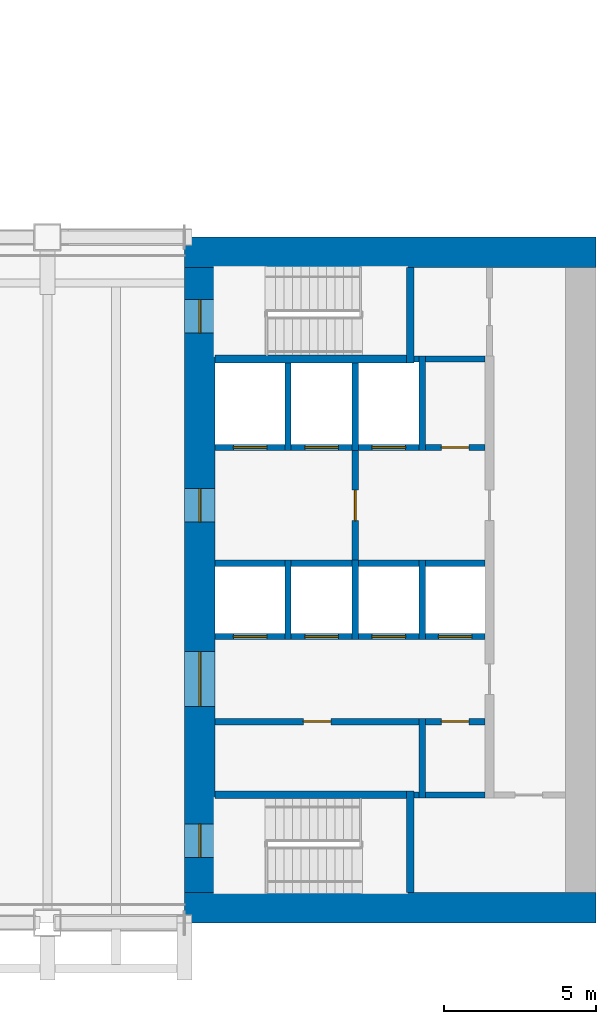
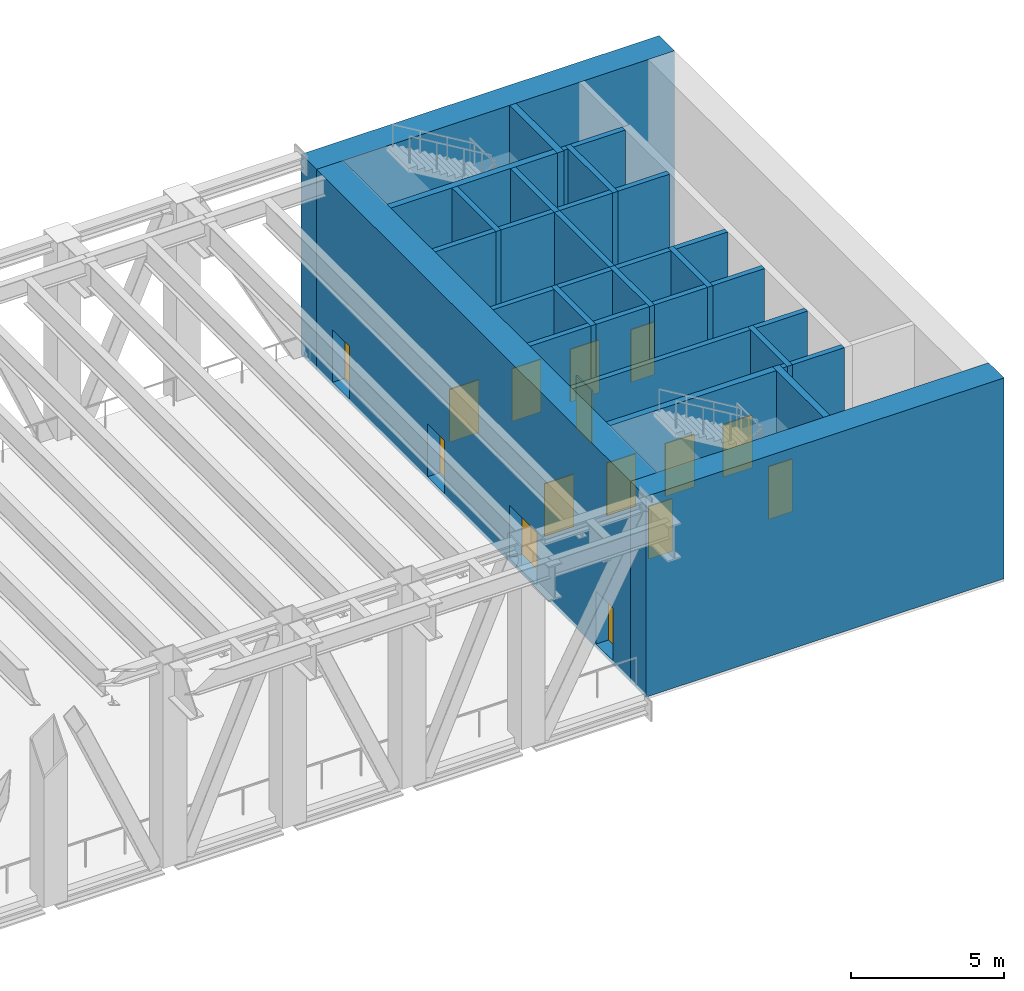
# One storey, part 8 of 16: 33 walls, 15 doors, 15 openings.
"""IFC4 building model written with IfcOpenShell, lengths in metres."""

from ifc_helpers import new_model, si_unit, direction, frame, frame_2d, origin, place, context, subcontext, project, spatial, rectangle, extrude, material, layer, layer_set, type_object, element, fill, save


model = new_model("IFC4")

# Units and contexts
model_context = context("Model", 3, precision=1e-05, world=origin(), true_north=direction((0.0, 1.0)))
body_context = subcontext(model_context, "Body", "Model", "MODEL_VIEW")
ifc_project = project(units=[si_unit("LENGTHUNIT", "METRE"), si_unit("AREAUNIT", "SQUARE_METRE"), si_unit("VOLUMEUNIT", "CUBIC_METRE"), si_unit("PLANEANGLEUNIT", "RADIAN"), si_unit("MASSUNIT", "GRAM", prefix="KILO")], contexts=[model_context])

# Site, building, storey
site_placement = place(None, origin())
site = spatial("IfcSite", under=ifc_project, at=site_placement, CompositionType="ELEMENT")
building_placement = place(site_placement, origin())
building = spatial("IfcBuilding", under=site, at=building_placement, Name="Sennacour Bend Tower", CompositionType="ELEMENT")
storey_placement = place(building_placement, frame((0.0, 0.0, 187.0)))
storey = spatial("IfcBuildingStorey", under=building, at=storey_placement, Name="L43", CompositionType="ELEMENT", Elevation=187.0)

# Walls
ifc_material_1 = material(Name="Concrete C60/75", Category="concrete")
ifc_layer_1 = layer(ifc_material_1, 1.0, Name="Concrete C60/75", Category="concrete")
ifc_layer_set_1 = layer_set([ifc_layer_1], Name="Concrete C60/75")
wall_type_1 = type_object("IfcWallType", Name="Core wall 1000 C60/75", PredefinedType="SHEAR", material=ifc_layer_set_1)
for number, where, z_axis, x_axis, name in (
    (1, (67.5, 0.5, -0.14990234375), (0.0, 0.0, 1.0), (-1.0, 0.0, 0.0), "Core A wall L43 S"),
    (2, (54.0, 22.0, -0.14990234375), (0.0, 0.0, 1.0), (1.0, 0.0, 0.0), "Core A wall L43 N"),
):
    element("IfcWall", number, at=place(storey_placement, frame(where, z_axis=z_axis, x_axis=x_axis)), inside=storey, type_object=wall_type_1, Name=name, PredefinedType="SHEAR", context=body_context, shape_type="SweptSolid", body=[
        extrude(rectangle(XDim=13.5, YDim=1.0, at=frame_2d((6.75, 0.0))), origin(), (0.0, 0.0, 1.0), 8.0),
    ])

# Wall, openings, doors
wall_1_placement = place(storey_placement, frame((54.5, 1.0, -0.14990234375), z_axis=(0.0, 0.0, 1.0), x_axis=(0.0, 1.0, 0.0)))
wall_1 = element("IfcWall", 3, at=wall_1_placement, inside=storey, type_object=wall_type_1, Name="Core A wall L43 W", PredefinedType="SHEAR", context=body_context, shape_type="SweptSolid", body=[
    extrude(rectangle(XDim=20.5, YDim=1.0, at=frame_2d((10.25, 0.0))), origin(), (0.0, 0.0, 1.0), 8.0),
])
opening_1_placement = place(wall_1_placement, frame((6.10009765625, 0.0, 0.14990234375)))
opening_1 = element("IfcOpeningElement", 4, at=opening_1_placement, cuts=wall_1, Name="Opening CD", PredefinedType="OPENING", context=body_context, shape_type="SweptSolid", body=[
    extrude(rectangle(XDim=1.800048828125, YDim=2.10009765625, at=frame_2d((0.89990234375, 1.050048828125))), frame((0.0, 0.510009765625, 0.0), z_axis=(0.0, -1.0, 0.0), x_axis=(1.0, 0.0, 0.0)), (0.0, 0.0, 1.0), 1.02001953125),
])
opening_2_placement = place(wall_1_placement, frame((12.14990234375, 0.0, 0.14990234375)))
opening_2 = element("IfcOpeningElement", 5, at=opening_2_placement, cuts=wall_1, Name="Opening FD", PredefinedType="OPENING", context=body_context, shape_type="SweptSolid", body=[
    extrude(rectangle(XDim=1.10009765625, YDim=2.10009765625, at=frame_2d((0.550048828125, 1.050048828125))), frame((0.0, 0.510009765625, 0.0), z_axis=(0.0, -1.0, 0.0), x_axis=(1.0, 0.0, 0.0)), (0.0, 0.0, 1.0), 1.02001953125),
])
opening_3_placement = place(wall_1_placement, frame((1.14990234375, 0.0, 0.14990234375)))
opening_3 = element("IfcOpeningElement", 6, at=opening_3_placement, cuts=wall_1, Name="Opening SD", PredefinedType="OPENING", context=body_context, shape_type="SweptSolid", body=[
    extrude(rectangle(XDim=1.10009765625, YDim=2.10009765625, at=frame_2d((0.550048828125, 1.050048828125))), frame((0.0, 0.510009765625, 0.0), z_axis=(0.0, -1.0, 0.0), x_axis=(1.0, 0.0, 0.0)), (0.0, 0.0, 1.0), 1.02001953125),
])
opening_4_placement = place(wall_1_placement, frame((18.35009765625, 0.0, 0.14990234375)))
opening_4 = element("IfcOpeningElement", 7, at=opening_4_placement, cuts=wall_1, Name="Opening SD", PredefinedType="OPENING", context=body_context, shape_type="SweptSolid", body=[
    extrude(rectangle(XDim=1.10009765625, YDim=2.10009765625, at=frame_2d((0.550048828125, 1.050048828125))), frame((0.0, 0.510009765625, 0.0), z_axis=(0.0, -1.0, 0.0), x_axis=(1.0, 0.0, 0.0)), (0.0, 0.0, 1.0), 1.02001953125),
])
ifc_material_2 = material(Name="Painted steel", Category="steel")
door_type_1 = type_object("IfcDoorType", Name="DR-FFL-1100", OperationType="NOTDEFINED", PredefinedType="DOOR", material=ifc_material_2)
door_1_placement = place(opening_2_placement, origin())
door_1 = element("IfcDoor", 8, at=door_1_placement, inside=storey, type_object=door_type_1, Name="Door", OperationType="SINGLE_SWING_RIGHT", OverallHeight=2.10009765625, OverallWidth=1.10009765625, PredefinedType="DOOR", context=body_context, shape_type="SweptSolid", body=[
    extrude(rectangle(XDim=1.10009765625, YDim=2.10009765625, at=frame_2d((0.550048828125, 1.050048828125))), frame((0.0, 0.02490234375, 0.0), z_axis=(0.0, -1.0, 0.0), x_axis=(1.0, 0.0, 0.0)), (0.0, 0.0, 1.0), 0.050048828125),
])
fill(opening_2, door_1)
door_type_2 = type_object("IfcDoorType", Name="DR-LOBBY-1800", OperationType="NOTDEFINED", PredefinedType="DOOR", material=ifc_material_2)
door_2_placement = place(opening_1_placement, origin())
door_2 = element("IfcDoor", 9, at=door_2_placement, inside=storey, type_object=door_type_2, Name="Door", OperationType="DOUBLE_DOOR_SINGLE_SWING", OverallHeight=2.10009765625, OverallWidth=1.800048828125, PredefinedType="DOOR", context=body_context, shape_type="SweptSolid", body=[
    extrude(rectangle(XDim=1.800048828125, YDim=2.10009765625, at=frame_2d((0.89990234375, 1.050048828125))), frame((0.0, 0.02490234375, 0.0), z_axis=(0.0, -1.0, 0.0), x_axis=(1.0, 0.0, 0.0)), (0.0, 0.0, 1.0), 0.050048828125),
])
fill(opening_1, door_2)
door_type_3 = type_object("IfcDoorType", Name="DR-STAIR-1100", OperationType="NOTDEFINED", PredefinedType="DOOR", material=ifc_material_2)
door_3_placement = place(opening_3_placement, origin())
door_3 = element("IfcDoor", 10, at=door_3_placement, inside=storey, type_object=door_type_3, Name="Door", OperationType="SINGLE_SWING_LEFT", OverallHeight=2.10009765625, OverallWidth=1.10009765625, PredefinedType="DOOR", context=body_context, shape_type="SweptSolid", body=[
    extrude(rectangle(XDim=1.10009765625, YDim=2.10009765625, at=frame_2d((0.550048828125, 1.050048828125))), frame((0.0, 0.02490234375, 0.0), z_axis=(0.0, -1.0, 0.0), x_axis=(1.0, 0.0, 0.0)), (0.0, 0.0, 1.0), 0.050048828125),
])
fill(opening_3, door_3)
door_4_placement = place(opening_4_placement, origin())
door_4 = element("IfcDoor", 11, at=door_4_placement, inside=storey, type_object=door_type_3, Name="Door", OperationType="SINGLE_SWING_RIGHT", OverallHeight=2.10009765625, OverallWidth=1.10009765625, PredefinedType="DOOR", context=body_context, shape_type="SweptSolid", body=[
    extrude(rectangle(XDim=1.10009765625, YDim=2.10009765625, at=frame_2d((0.550048828125, 1.050048828125))), frame((0.0, 0.02490234375, 0.0), z_axis=(0.0, -1.0, 0.0), x_axis=(1.0, 0.0, 0.0)), (0.0, 0.0, 1.0), 0.050048828125),
])
fill(opening_4, door_4)

# Walls
ifc_material_3 = material(Name="Fire-rated plasterboard partition on steel studs", Category="steel")
ifc_layer_2 = layer(ifc_material_3, 0.199951171875, Name="Fire-rated plasterboard partition on steel studs", Category="steel")
ifc_layer_set_2 = layer_set([ifc_layer_2], Name="Fire-rated plasterboard partition on steel studs")
wall_type_2 = type_object("IfcWallType", Name="Rated partition 200", PredefinedType="PARTITIONING", material=ifc_layer_set_2)
wall_2_placement = place(storey_placement, frame((61.800048828125, 4.10009765625, 0.0), z_axis=(0.0, 0.0, 1.0), x_axis=(0.0, 1.0, 0.0)))
element("IfcWall", 12, at=wall_2_placement, inside=storey, type_object=wall_type_2, Name="P-L43-W027", PredefinedType="PARTITIONING", context=body_context, shape_type="SweptSolid", body=[
    extrude(rectangle(XDim=2.599853515625, YDim=0.199951171875, at=frame_2d((1.2998046875, 0.0))), origin(), (0.0, 0.0, 1.0), 7.85009765625),
])
wall_3_placement = place(storey_placement, frame((61.52490234375, 4.199951171875, 0.0), z_axis=(0.0, 0.0, 1.0), x_axis=(1.0, 0.0, 0.0)))
element("IfcWall", 13, at=wall_3_placement, inside=storey, type_object=wall_type_2, Name="P-L43-W037a", PredefinedType="PARTITIONING", context=body_context, shape_type="SweptSolid", body=[
    extrude(rectangle(XDim=0.175048828125, YDim=0.199951171875, at=frame_2d((0.08740234375, 0.0))), origin(), (0.0, 0.0, 1.0), 7.85009765625),
])
wall_4_placement = place(storey_placement, frame((61.89990234375, 4.199951171875, 0.0), z_axis=(0.0, 0.0, 1.0), x_axis=(1.0, 0.0, 0.0)))
element("IfcWall", 14, at=wall_4_placement, inside=storey, type_object=wall_type_2, Name="P-L43-W037b", PredefinedType="PARTITIONING", context=body_context, shape_type="SweptSolid", body=[
    extrude(rectangle(XDim=1.9501953125, YDim=0.199951171875, at=frame_2d((0.97509765625, 0.0))), origin(), (0.0, 0.0, 1.0), 7.85009765625),
])

# Wall, opening, door
wall_5_placement = place(storey_placement, frame((55.0, 6.60009765625, 0.0), z_axis=(0.0, 0.0, 1.0), x_axis=(1.0, 0.0, 0.0)))
wall_5 = element("IfcWall", 15, at=wall_5_placement, inside=storey, type_object=wall_type_2, Name="P-L43-W038a", PredefinedType="PARTITIONING", context=body_context, shape_type="SweptSolid", body=[
    extrude(rectangle(XDim=6.699951171875, YDim=0.199951171875, at=frame_2d((3.35009765625, 0.0))), origin(), (0.0, 0.0, 1.0), 7.85009765625),
])
opening_5_placement = place(wall_5_placement, frame((2.89990234375, 0.0, 0.0)))
opening_5 = element("IfcOpeningElement", 16, at=opening_5_placement, cuts=wall_5, Name="Opening SV", PredefinedType="OPENING", context=body_context, shape_type="SweptSolid", body=[
    extrude(rectangle(XDim=0.89990234375, YDim=2.10009765625, at=frame_2d((0.449951171875, 1.050048828125))), frame((0.0, 0.10986328125, 0.0), z_axis=(0.0, -1.0, 0.0), x_axis=(1.0, 0.0, 0.0)), (0.0, 0.0, 1.0), 0.219970703125),
])
door_type_4 = type_object("IfcDoorType", Name="DR-SERVICE-900", OperationType="NOTDEFINED", PredefinedType="DOOR", material=ifc_material_2)
door_5_placement = place(opening_5_placement, origin())
door_5 = element("IfcDoor", 17, at=door_5_placement, inside=storey, type_object=door_type_4, Name="Door", OperationType="SINGLE_SWING_LEFT", OverallHeight=2.10009765625, OverallWidth=0.89990234375, PredefinedType="DOOR", context=body_context, shape_type="SweptSolid", body=[
    extrude(rectangle(XDim=0.89990234375, YDim=2.10009765625, at=frame_2d((0.449951171875, 1.050048828125))), frame((0.0, 0.02490234375, 0.0), z_axis=(0.0, -1.0, 0.0), x_axis=(1.0, 0.0, 0.0)), (0.0, 0.0, 1.0), 0.050048828125),
])
fill(opening_5, door_5)

wall_6_placement = place(storey_placement, frame((61.89990234375, 6.60009765625, 0.0), z_axis=(0.0, 0.0, 1.0), x_axis=(1.0, 0.0, 0.0)))
wall_6 = element("IfcWall", 18, at=wall_6_placement, inside=storey, type_object=wall_type_2, Name="P-L43-W038b", PredefinedType="PARTITIONING", context=body_context, shape_type="SweptSolid", body=[
    extrude(rectangle(XDim=1.9501953125, YDim=0.199951171875, at=frame_2d((0.97509765625, 0.0))), origin(), (0.0, 0.0, 1.0), 7.85009765625),
])
opening_6_placement = place(wall_6_placement, frame((0.525146484375, 0.0, 0.0)))
opening_6 = element("IfcOpeningElement", 19, at=opening_6_placement, cuts=wall_6, Name="Opening SV", PredefinedType="OPENING", context=body_context, shape_type="SweptSolid", body=[
    extrude(rectangle(XDim=0.89990234375, YDim=2.10009765625, at=frame_2d((0.449951171875, 1.050048828125))), frame((0.0, 0.10986328125, 0.0), z_axis=(0.0, -1.0, 0.0), x_axis=(1.0, 0.0, 0.0)), (0.0, 0.0, 1.0), 0.219970703125),
])
door_6_placement = place(opening_6_placement, origin())
door_6 = element("IfcDoor", 20, at=door_6_placement, inside=storey, type_object=door_type_4, Name="Door", OperationType="SINGLE_SWING_RIGHT", OverallHeight=2.10009765625, OverallWidth=0.89990234375, PredefinedType="DOOR", context=body_context, shape_type="SweptSolid", body=[
    extrude(rectangle(XDim=0.89990234375, YDim=2.10009765625, at=frame_2d((0.449951171875, 1.050048828125))), frame((0.0, 0.02490234375, 0.0), z_axis=(0.0, -1.0, 0.0), x_axis=(1.0, 0.0, 0.0)), (0.0, 0.0, 1.0), 0.050048828125),
])
fill(opening_6, door_6)

wall_7_placement = place(storey_placement, frame((61.89990234375, 15.60009765625, 0.0), z_axis=(0.0, 0.0, 1.0), x_axis=(1.0, 0.0, 0.0)))
wall_7 = element("IfcWall", 21, at=wall_7_placement, inside=storey, type_object=wall_type_2, Name="P-L43-W044", PredefinedType="PARTITIONING", context=body_context, shape_type="SweptSolid", body=[
    extrude(rectangle(XDim=1.9501953125, YDim=0.199951171875, at=frame_2d((0.97509765625, 0.0))), origin(), (0.0, 0.0, 1.0), 7.85009765625),
])
opening_7_placement = place(wall_7_placement, frame((0.525146484375, 0.0, 0.0)))
opening_7 = element("IfcOpeningElement", 22, at=opening_7_placement, cuts=wall_7, Name="Opening SV", PredefinedType="OPENING", context=body_context, shape_type="SweptSolid", body=[
    extrude(rectangle(XDim=0.89990234375, YDim=2.10009765625, at=frame_2d((0.449951171875, 1.050048828125))), frame((0.0, 0.10986328125, 0.0), z_axis=(0.0, -1.0, 0.0), x_axis=(1.0, 0.0, 0.0)), (0.0, 0.0, 1.0), 0.219970703125),
])
door_7_placement = place(opening_7_placement, origin())
door_7 = element("IfcDoor", 23, at=door_7_placement, inside=storey, type_object=door_type_4, Name="Door", OperationType="SINGLE_SWING_LEFT", OverallHeight=2.10009765625, OverallWidth=0.89990234375, PredefinedType="DOOR", context=body_context, shape_type="SweptSolid", body=[
    extrude(rectangle(XDim=0.89990234375, YDim=2.10009765625, at=frame_2d((0.449951171875, 1.050048828125))), frame((0.0, 0.02490234375, 0.0), z_axis=(0.0, -1.0, 0.0), x_axis=(1.0, 0.0, 0.0)), (0.0, 0.0, 1.0), 0.050048828125),
])
fill(opening_7, door_7)

# Wall
wall_8_placement = place(storey_placement, frame((61.89990234375, 18.5, 0.0), z_axis=(0.0, 0.0, 1.0), x_axis=(1.0, 0.0, 0.0)))
element("IfcWall", 24, at=wall_8_placement, inside=storey, type_object=wall_type_2, Name="P-L43-W047", PredefinedType="PARTITIONING", context=body_context, shape_type="SweptSolid", body=[
    extrude(rectangle(XDim=1.9501953125, YDim=0.199951171875, at=frame_2d((0.97509765625, 0.0))), origin(), (0.0, 0.0, 1.0), 7.85009765625),
])

# Wall, opening, door
ifc_layer_3 = layer(ifc_material_3, 0.199951171875, Name="Fire-rated plasterboard partition on steel studs", Category="steel")
ifc_layer_set_3 = layer_set([ifc_layer_3], Name="Fire-rated plasterboard partition on steel studs")
wall_type_3 = type_object("IfcWallType", Name="Rated partition 200 EI 90", PredefinedType="PARTITIONING", material=ifc_layer_set_3)
wall_9_placement = place(storey_placement, frame((59.60009765625, 11.89990234375, 0.0), z_axis=(0.0, 0.0, 1.0), x_axis=(0.0, 1.0, 0.0)))
wall_9 = element("IfcWall", 25, at=wall_9_placement, inside=storey, type_object=wall_type_3, Name="P-L43-W023", PredefinedType="PARTITIONING", context=body_context, shape_type="SweptSolid", body=[
    extrude(rectangle(XDim=3.60009765625, YDim=0.199951171875, at=frame_2d((1.800048828125, 0.0))), origin(), (0.0, 0.0, 1.0), 7.85009765625),
])
opening_8_placement = place(wall_9_placement, frame((1.300048828125, 0.0, 0.0)))
opening_8 = element("IfcOpeningElement", 26, at=opening_8_placement, cuts=wall_9, Name="Opening FD2", PredefinedType="OPENING", context=body_context, shape_type="SweptSolid", body=[
    extrude(rectangle(XDim=1.0, YDim=2.10009765625, at=frame_2d((0.5, 1.050048828125))), frame((0.0, 0.10986328125, 0.0), z_axis=(0.0, -1.0, 0.0), x_axis=(1.0, 0.0, 0.0)), (0.0, 0.0, 1.0), 0.219970703125),
])
door_type_5 = type_object("IfcDoorType", Name="DR-FFL-1000", OperationType="NOTDEFINED", PredefinedType="DOOR", material=ifc_material_2)
door_8_placement = place(opening_8_placement, origin())
door_8 = element("IfcDoor", 27, at=door_8_placement, inside=storey, type_object=door_type_5, Name="Door", OperationType="SINGLE_SWING_LEFT", OverallHeight=2.10009765625, OverallWidth=1.0, PredefinedType="DOOR", context=body_context, shape_type="SweptSolid", body=[
    extrude(rectangle(XDim=1.0, YDim=2.10009765625, at=frame_2d((0.5, 1.050048828125))), frame((0.0, 0.02490234375, 0.0), z_axis=(0.0, -1.0, 0.0), x_axis=(1.0, 0.0, 0.0)), (0.0, 0.0, 1.0), 0.050048828125),
])
fill(opening_8, door_8)

# Walls
ifc_material_4 = material(Name="Concrete C50/60", Category="concrete")
ifc_layer_4 = layer(ifc_material_4, 0.199951171875, Name="Concrete C50/60", Category="concrete")
ifc_layer_set_4 = layer_set([ifc_layer_4], Name="Concrete C50/60")
wall_type_4 = type_object("IfcWallType", Name="Shaft wall 200", PredefinedType="SOLIDWALL", material=ifc_layer_set_4)
wall_10_placement = place(storey_placement, frame((57.39990234375, 9.300048828125, 0.0), z_axis=(0.0, 0.0, 1.0), x_axis=(0.0, 1.0, 0.0)))
element("IfcWall", 28, at=wall_10_placement, inside=storey, type_object=wall_type_4, Name="P-L43-W020", PredefinedType="SOLIDWALL", context=body_context, shape_type="SweptSolid", body=[
    extrude(rectangle(XDim=2.599853515625, YDim=0.199951171875, at=frame_2d((1.2998046875, 0.0))), origin(), (0.0, 0.0, 1.0), 7.85009765625),
])
wall_11_placement = place(storey_placement, frame((57.39990234375, 15.5, 0.0), z_axis=(0.0, 0.0, 1.0), x_axis=(0.0, 1.0, 0.0)))
element("IfcWall", 29, at=wall_11_placement, inside=storey, type_object=wall_type_4, Name="P-L43-W021", PredefinedType="SOLIDWALL", context=body_context, shape_type="SweptSolid", body=[
    extrude(rectangle(XDim=2.875, YDim=0.199951171875, at=frame_2d((1.4375, 0.0))), origin(), (0.0, 0.0, 1.0), 7.85009765625),
])
wall_12_placement = place(storey_placement, frame((59.60009765625, 9.300048828125, 0.0), z_axis=(0.0, 0.0, 1.0), x_axis=(0.0, 1.0, 0.0)))
element("IfcWall", 30, at=wall_12_placement, inside=storey, type_object=wall_type_4, Name="P-L43-W022", PredefinedType="SOLIDWALL", context=body_context, shape_type="SweptSolid", body=[
    extrude(rectangle(XDim=2.599853515625, YDim=0.199951171875, at=frame_2d((1.2998046875, 0.0))), origin(), (0.0, 0.0, 1.0), 7.85009765625),
])
wall_13_placement = place(storey_placement, frame((59.60009765625, 15.5, 0.0), z_axis=(0.0, 0.0, 1.0), x_axis=(0.0, 1.0, 0.0)))
element("IfcWall", 31, at=wall_13_placement, inside=storey, type_object=wall_type_4, Name="P-L43-W024", PredefinedType="SOLIDWALL", context=body_context, shape_type="SweptSolid", body=[
    extrude(rectangle(XDim=2.875, YDim=0.199951171875, at=frame_2d((1.4375, 0.0))), origin(), (0.0, 0.0, 1.0), 7.85009765625),
])
wall_14_placement = place(storey_placement, frame((61.800048828125, 9.300048828125, 0.0), z_axis=(0.0, 0.0, 1.0), x_axis=(0.0, 1.0, 0.0)))
element("IfcWall", 32, at=wall_14_placement, inside=storey, type_object=wall_type_4, Name="P-L43-W028", PredefinedType="SOLIDWALL", context=body_context, shape_type="SweptSolid", body=[
    extrude(rectangle(XDim=2.599853515625, YDim=0.199951171875, at=frame_2d((1.2998046875, 0.0))), origin(), (0.0, 0.0, 1.0), 7.85009765625),
])
wall_15_placement = place(storey_placement, frame((61.800048828125, 15.5, 0.0), z_axis=(0.0, 0.0, 1.0), x_axis=(0.0, 1.0, 0.0)))
element("IfcWall", 33, at=wall_15_placement, inside=storey, type_object=wall_type_4, Name="P-L43-W029", PredefinedType="SOLIDWALL", context=body_context, shape_type="SweptSolid", body=[
    extrude(rectangle(XDim=3.10009765625, YDim=0.199951171875, at=frame_2d((1.550048828125, 0.0))), origin(), (0.0, 0.0, 1.0), 7.85009765625),
])

# Wall, opening, door
wall_16_placement = place(storey_placement, frame((55.0, 9.39990234375, 0.0), z_axis=(0.0, 0.0, 1.0), x_axis=(1.0, 0.0, 0.0)))
wall_16 = element("IfcWall", 34, at=wall_16_placement, inside=storey, type_object=wall_type_4, Name="P-L43-W040a", PredefinedType="SOLIDWALL", context=body_context, shape_type="SweptSolid", body=[
    extrude(rectangle(XDim=2.300048828125, YDim=0.199951171875, at=frame_2d((1.14990234375, 0.0))), origin(), (0.0, 0.0, 1.0), 7.85009765625),
])
opening_9_placement = place(wall_16_placement, frame((0.60009765625, 0.0, 0.011962890625)))
opening_9 = element("IfcOpeningElement", 35, at=opening_9_placement, cuts=wall_16, Name="Opening LD", PredefinedType="OPENING", context=body_context, shape_type="SweptSolid", body=[
    extrude(rectangle(XDim=1.10009765625, YDim=2.10009765625, at=frame_2d((0.550048828125, 1.050048828125))), frame((0.0, 0.10986328125, 0.0), z_axis=(0.0, -1.0, 0.0), x_axis=(1.0, 0.0, 0.0)), (0.0, 0.0, 1.0), 0.219970703125),
])
ifc_material_5 = material(Name="Stainless steel", Category="steel")
door_type_6 = type_object("IfcDoorType", Name="DR-LANDING-1100", OperationType="NOTDEFINED", PredefinedType="DOOR", material=ifc_material_5)
door_9_placement = place(opening_9_placement, origin())
door_9 = element("IfcDoor", 36, at=door_9_placement, inside=storey, type_object=door_type_6, Name="Lift landing door HA1", OperationType="SLIDING_TO_LEFT", OverallHeight=2.10009765625, OverallWidth=1.10009765625, PredefinedType="DOOR", context=body_context, shape_type="SweptSolid", body=[
    extrude(rectangle(XDim=1.10009765625, YDim=2.10009765625, at=frame_2d((0.550048828125, 1.050048828125))), frame((0.0, 0.02490234375, 0.0), z_axis=(0.0, -1.0, 0.0), x_axis=(1.0, 0.0, 0.0)), (0.0, 0.0, 1.0), 0.050048828125),
])
fill(opening_9, door_9)

wall_17_placement = place(storey_placement, frame((57.5, 9.39990234375, 0.0), z_axis=(0.0, 0.0, 1.0), x_axis=(1.0, 0.0, 0.0)))
wall_17 = element("IfcWall", 37, at=wall_17_placement, inside=storey, type_object=wall_type_4, Name="P-L43-W040b", PredefinedType="SOLIDWALL", context=body_context, shape_type="SweptSolid", body=[
    extrude(rectangle(XDim=2.0, YDim=0.199951171875, at=frame_2d((1.0, 0.0))), origin(), (0.0, 0.0, 1.0), 7.85009765625),
])
opening_10_placement = place(wall_17_placement, frame((0.449951171875, 0.0, 0.011962890625)))
opening_10 = element("IfcOpeningElement", 38, at=opening_10_placement, cuts=wall_17, Name="Opening LD", PredefinedType="OPENING", context=body_context, shape_type="SweptSolid", body=[
    extrude(rectangle(XDim=1.10009765625, YDim=2.10009765625, at=frame_2d((0.550048828125, 1.050048828125))), frame((0.0, 0.10986328125, 0.0), z_axis=(0.0, -1.0, 0.0), x_axis=(1.0, 0.0, 0.0)), (0.0, 0.0, 1.0), 0.219970703125),
])
door_10_placement = place(opening_10_placement, origin())
door_10 = element("IfcDoor", 39, at=door_10_placement, inside=storey, type_object=door_type_6, Name="Lift landing door HA2", OperationType="SLIDING_TO_RIGHT", OverallHeight=2.10009765625, OverallWidth=1.10009765625, PredefinedType="DOOR", context=body_context, shape_type="SweptSolid", body=[
    extrude(rectangle(XDim=1.10009765625, YDim=2.10009765625, at=frame_2d((0.550048828125, 1.050048828125))), frame((0.0, 0.02490234375, 0.0), z_axis=(0.0, -1.0, 0.0), x_axis=(1.0, 0.0, 0.0)), (0.0, 0.0, 1.0), 0.050048828125),
])
fill(opening_10, door_10)

wall_18_placement = place(storey_placement, frame((59.699951171875, 9.39990234375, 0.0), z_axis=(0.0, 0.0, 1.0), x_axis=(1.0, 0.0, 0.0)))
wall_18 = element("IfcWall", 40, at=wall_18_placement, inside=storey, type_object=wall_type_4, Name="P-L43-W040c", PredefinedType="SOLIDWALL", context=body_context, shape_type="SweptSolid", body=[
    extrude(rectangle(XDim=2.0, YDim=0.199951171875, at=frame_2d((1.0, 0.0))), origin(), (0.0, 0.0, 1.0), 7.85009765625),
])
opening_11_placement = place(wall_18_placement, frame((0.449951171875, 0.0, 0.011962890625)))
opening_11 = element("IfcOpeningElement", 41, at=opening_11_placement, cuts=wall_18, Name="Opening LD", PredefinedType="OPENING", context=body_context, shape_type="SweptSolid", body=[
    extrude(rectangle(XDim=1.10009765625, YDim=2.10009765625, at=frame_2d((0.550048828125, 1.050048828125))), frame((0.0, 0.10986328125, 0.0), z_axis=(0.0, -1.0, 0.0), x_axis=(1.0, 0.0, 0.0)), (0.0, 0.0, 1.0), 0.219970703125),
])
door_11_placement = place(opening_11_placement, origin())
door_11 = element("IfcDoor", 42, at=door_11_placement, inside=storey, type_object=door_type_6, Name="Lift landing door HA3", OperationType="SLIDING_TO_LEFT", OverallHeight=2.10009765625, OverallWidth=1.10009765625, PredefinedType="DOOR", context=body_context, shape_type="SweptSolid", body=[
    extrude(rectangle(XDim=1.10009765625, YDim=2.10009765625, at=frame_2d((0.550048828125, 1.050048828125))), frame((0.0, 0.02490234375, 0.0), z_axis=(0.0, -1.0, 0.0), x_axis=(1.0, 0.0, 0.0)), (0.0, 0.0, 1.0), 0.050048828125),
])
fill(opening_11, door_11)

wall_19_placement = place(storey_placement, frame((61.89990234375, 9.39990234375, 0.0), z_axis=(0.0, 0.0, 1.0), x_axis=(1.0, 0.0, 0.0)))
wall_19 = element("IfcWall", 43, at=wall_19_placement, inside=storey, type_object=wall_type_4, Name="P-L43-W040d", PredefinedType="SOLIDWALL", context=body_context, shape_type="SweptSolid", body=[
    extrude(rectangle(XDim=1.9501953125, YDim=0.199951171875, at=frame_2d((0.97509765625, 0.0))), origin(), (0.0, 0.0, 1.0), 7.85009765625),
])
opening_12_placement = place(wall_19_placement, frame((0.425048828125, 0.0, 0.011962890625)))
opening_12 = element("IfcOpeningElement", 44, at=opening_12_placement, cuts=wall_19, Name="Opening LD", PredefinedType="OPENING", context=body_context, shape_type="SweptSolid", body=[
    extrude(rectangle(XDim=1.10009765625, YDim=2.10009765625, at=frame_2d((0.550048828125, 1.050048828125))), frame((0.0, 0.10986328125, 0.0), z_axis=(0.0, -1.0, 0.0), x_axis=(1.0, 0.0, 0.0)), (0.0, 0.0, 1.0), 0.219970703125),
])
door_12_placement = place(opening_12_placement, origin())
door_12 = element("IfcDoor", 45, at=door_12_placement, inside=storey, type_object=door_type_6, Name="Lift landing door HA4", OperationType="SLIDING_TO_RIGHT", OverallHeight=2.10009765625, OverallWidth=1.10009765625, PredefinedType="DOOR", context=body_context, shape_type="SweptSolid", body=[
    extrude(rectangle(XDim=1.10009765625, YDim=2.10009765625, at=frame_2d((0.550048828125, 1.050048828125))), frame((0.0, 0.02490234375, 0.0), z_axis=(0.0, -1.0, 0.0), x_axis=(1.0, 0.0, 0.0)), (0.0, 0.0, 1.0), 0.050048828125),
])
fill(opening_12, door_12)

# Walls
wall_20_placement = place(storey_placement, frame((55.0, 11.800048828125, 0.0), z_axis=(0.0, 0.0, 1.0), x_axis=(1.0, 0.0, 0.0)))
element("IfcWall", 46, at=wall_20_placement, inside=storey, type_object=wall_type_4, Name="P-L43-W042a", PredefinedType="SOLIDWALL", context=body_context, shape_type="SweptSolid", body=[
    extrude(rectangle(XDim=2.300048828125, YDim=0.199951171875, at=frame_2d((1.14990234375, 0.0))), origin(), (0.0, 0.0, 1.0), 7.85009765625),
])
for number, where, z_axis, x_axis, name in (
    (47, (57.5, 11.800048828125, 0.0), (0.0, 0.0, 1.0), (1.0, 0.0, 0.0), "P-L43-W042b"),
    (48, (59.699951171875, 11.800048828125, 0.0), (0.0, 0.0, 1.0), (1.0, 0.0, 0.0), "P-L43-W042c"),
):
    element("IfcWall", number, at=place(storey_placement, frame(where, z_axis=z_axis, x_axis=x_axis)), inside=storey, type_object=wall_type_4, Name=name, PredefinedType="SOLIDWALL", context=body_context, shape_type="SweptSolid", body=[
        extrude(rectangle(XDim=2.0, YDim=0.199951171875, at=frame_2d((1.0, 0.0))), origin(), (0.0, 0.0, 1.0), 7.85009765625),
    ])
wall_21_placement = place(storey_placement, frame((61.89990234375, 11.800048828125, 0.0), z_axis=(0.0, 0.0, 1.0), x_axis=(1.0, 0.0, 0.0)))
element("IfcWall", 49, at=wall_21_placement, inside=storey, type_object=wall_type_4, Name="P-L43-W042d", PredefinedType="SOLIDWALL", context=body_context, shape_type="SweptSolid", body=[
    extrude(rectangle(XDim=1.9501953125, YDim=0.199951171875, at=frame_2d((0.97509765625, 0.0))), origin(), (0.0, 0.0, 1.0), 7.85009765625),
])

# Wall, opening, door
wall_22_placement = place(storey_placement, frame((55.0, 15.60009765625, 0.0), z_axis=(0.0, 0.0, 1.0), x_axis=(1.0, 0.0, 0.0)))
wall_22 = element("IfcWall", 50, at=wall_22_placement, inside=storey, type_object=wall_type_4, Name="P-L43-W043a", PredefinedType="SOLIDWALL", context=body_context, shape_type="SweptSolid", body=[
    extrude(rectangle(XDim=2.300048828125, YDim=0.199951171875, at=frame_2d((1.14990234375, 0.0))), origin(), (0.0, 0.0, 1.0), 7.85009765625),
])
opening_13_placement = place(wall_22_placement, frame((0.60009765625, 0.0, 0.011962890625)))
opening_13 = element("IfcOpeningElement", 51, at=opening_13_placement, cuts=wall_22, Name="Opening FLD", PredefinedType="OPENING", context=body_context, shape_type="SweptSolid", body=[
    extrude(rectangle(XDim=1.10009765625, YDim=2.10009765625, at=frame_2d((0.550048828125, 1.050048828125))), frame((0.0, 0.10986328125, 0.0), z_axis=(0.0, -1.0, 0.0), x_axis=(1.0, 0.0, 0.0)), (0.0, 0.0, 1.0), 0.219970703125),
])
door_type_7 = type_object("IfcDoorType", Name="DR-FF-LANDING-1100", OperationType="NOTDEFINED", PredefinedType="DOOR", material=ifc_material_5)
door_13_placement = place(opening_13_placement, origin())
door_13 = element("IfcDoor", 52, at=door_13_placement, inside=storey, type_object=door_type_7, Name="Fire service lift landing door FA1", OperationType="SLIDING_TO_LEFT", OverallHeight=2.10009765625, OverallWidth=1.10009765625, PredefinedType="DOOR", context=body_context, shape_type="SweptSolid", body=[
    extrude(rectangle(XDim=1.10009765625, YDim=2.10009765625, at=frame_2d((0.550048828125, 1.050048828125))), frame((0.0, 0.02490234375, 0.0), z_axis=(0.0, -1.0, 0.0), x_axis=(1.0, 0.0, 0.0)), (0.0, 0.0, 1.0), 0.050048828125),
])
fill(opening_13, door_13)

wall_23_placement = place(storey_placement, frame((57.5, 15.60009765625, 0.0), z_axis=(0.0, 0.0, 1.0), x_axis=(1.0, 0.0, 0.0)))
wall_23 = element("IfcWall", 53, at=wall_23_placement, inside=storey, type_object=wall_type_4, Name="P-L43-W043b", PredefinedType="SOLIDWALL", context=body_context, shape_type="SweptSolid", body=[
    extrude(rectangle(XDim=2.0, YDim=0.199951171875, at=frame_2d((1.0, 0.0))), origin(), (0.0, 0.0, 1.0), 7.85009765625),
])
opening_14_placement = place(wall_23_placement, frame((0.449951171875, 0.0, 0.011962890625)))
opening_14 = element("IfcOpeningElement", 54, at=opening_14_placement, cuts=wall_23, Name="Opening FLD", PredefinedType="OPENING", context=body_context, shape_type="SweptSolid", body=[
    extrude(rectangle(XDim=1.10009765625, YDim=2.10009765625, at=frame_2d((0.550048828125, 1.050048828125))), frame((0.0, 0.10986328125, 0.0), z_axis=(0.0, -1.0, 0.0), x_axis=(1.0, 0.0, 0.0)), (0.0, 0.0, 1.0), 0.219970703125),
])
door_14_placement = place(opening_14_placement, origin())
door_14 = element("IfcDoor", 55, at=door_14_placement, inside=storey, type_object=door_type_7, Name="Fire service lift landing door FA2", OperationType="SLIDING_TO_RIGHT", OverallHeight=2.10009765625, OverallWidth=1.10009765625, PredefinedType="DOOR", context=body_context, shape_type="SweptSolid", body=[
    extrude(rectangle(XDim=1.10009765625, YDim=2.10009765625, at=frame_2d((0.550048828125, 1.050048828125))), frame((0.0, 0.02490234375, 0.0), z_axis=(0.0, -1.0, 0.0), x_axis=(1.0, 0.0, 0.0)), (0.0, 0.0, 1.0), 0.050048828125),
])
fill(opening_14, door_14)

wall_24_placement = place(storey_placement, frame((59.699951171875, 15.60009765625, 0.0), z_axis=(0.0, 0.0, 1.0), x_axis=(1.0, 0.0, 0.0)))
wall_24 = element("IfcWall", 56, at=wall_24_placement, inside=storey, type_object=wall_type_4, Name="P-L43-W043c", PredefinedType="SOLIDWALL", context=body_context, shape_type="SweptSolid", body=[
    extrude(rectangle(XDim=2.0, YDim=0.199951171875, at=frame_2d((1.0, 0.0))), origin(), (0.0, 0.0, 1.0), 7.85009765625),
])
opening_15_placement = place(wall_24_placement, frame((0.449951171875, 0.0, 0.011962890625)))
opening_15 = element("IfcOpeningElement", 57, at=opening_15_placement, cuts=wall_24, Name="Opening LD", PredefinedType="OPENING", context=body_context, shape_type="SweptSolid", body=[
    extrude(rectangle(XDim=1.10009765625, YDim=2.10009765625, at=frame_2d((0.550048828125, 1.050048828125))), frame((0.0, 0.10986328125, 0.0), z_axis=(0.0, -1.0, 0.0), x_axis=(1.0, 0.0, 0.0)), (0.0, 0.0, 1.0), 0.219970703125),
])
door_15_placement = place(opening_15_placement, origin())
door_15 = element("IfcDoor", 58, at=door_15_placement, inside=storey, type_object=door_type_6, Name="Lift landing door HA5", OperationType="SLIDING_TO_LEFT", OverallHeight=2.10009765625, OverallWidth=1.10009765625, PredefinedType="DOOR", context=body_context, shape_type="SweptSolid", body=[
    extrude(rectangle(XDim=1.10009765625, YDim=2.10009765625, at=frame_2d((0.550048828125, 1.050048828125))), frame((0.0, 0.02490234375, 0.0), z_axis=(0.0, -1.0, 0.0), x_axis=(1.0, 0.0, 0.0)), (0.0, 0.0, 1.0), 0.050048828125),
])
fill(opening_15, door_15)

# Walls
wall_25_placement = place(storey_placement, frame((61.52490234375, 18.5, 0.0), z_axis=(0.0, 0.0, 1.0), x_axis=(1.0, 0.0, 0.0)))
element("IfcWall", 59, at=wall_25_placement, inside=storey, type_object=wall_type_4, Name="P-L43-W046", PredefinedType="SOLIDWALL", context=body_context, shape_type="SweptSolid", body=[
    extrude(rectangle(XDim=0.175048828125, YDim=0.199951171875, at=frame_2d((0.08740234375, 0.0))), origin(), (0.0, 0.0, 1.0), 7.85009765625),
])
ifc_layer_5 = layer(ifc_material_1, 0.25, Name="Concrete C60/75", Category="concrete")
ifc_layer_set_5 = layer_set([ifc_layer_5], Name="Concrete C60/75")
wall_type_5 = type_object("IfcWallType", Name="Stair wall 250", PredefinedType="SHEAR", material=ifc_layer_set_5)
wall_26_placement = place(storey_placement, frame((61.39990234375, 1.0, 0.0), z_axis=(0.0, 0.0, 1.0), x_axis=(0.0, 1.0, 0.0)))
element("IfcWall", 60, at=wall_26_placement, inside=storey, type_object=wall_type_5, Name="P-L43-W025", PredefinedType="SHEAR", context=body_context, shape_type="SweptSolid", body=[
    extrude(rectangle(XDim=3.324951171875, YDim=0.25, at=frame_2d((1.66259765625, 0.0))), origin(), (0.0, 0.0, 1.0), 7.85009765625),
])
wall_27_placement = place(storey_placement, frame((61.39990234375, 18.375, 0.0), z_axis=(0.0, 0.0, 1.0), x_axis=(0.0, 1.0, 0.0)))
element("IfcWall", 61, at=wall_27_placement, inside=storey, type_object=wall_type_5, Name="P-L43-W026", PredefinedType="SHEAR", context=body_context, shape_type="SweptSolid", body=[
    extrude(rectangle(XDim=3.125, YDim=0.25, at=frame_2d((1.5625, 0.0))), origin(), (0.0, 0.0, 1.0), 7.85009765625),
])
for number, where, z_axis, x_axis, name in (
    (62, (55.0, 4.199951171875, 0.0), (0.0, 0.0, 1.0), (1.0, 0.0, 0.0), "P-L43-W036"),
    (63, (55.0, 18.5, 0.0), (0.0, 0.0, 1.0), (1.0, 0.0, 0.0), "P-L43-W045"),
):
    element("IfcWall", number, at=place(storey_placement, frame(where, z_axis=z_axis, x_axis=x_axis)), inside=storey, type_object=wall_type_5, Name=name, PredefinedType="SHEAR", context=body_context, shape_type="SweptSolid", body=[
        extrude(rectangle(XDim=6.27490234375, YDim=0.25, at=frame_2d((3.137451171875, 0.0))), origin(), (0.0, 0.0, 1.0), 7.85009765625),
    ])

save(model, "model.ifc")
